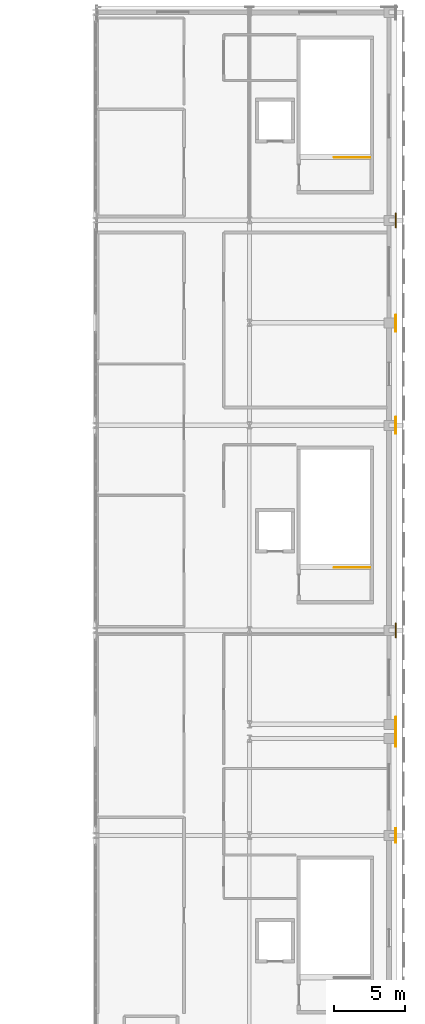
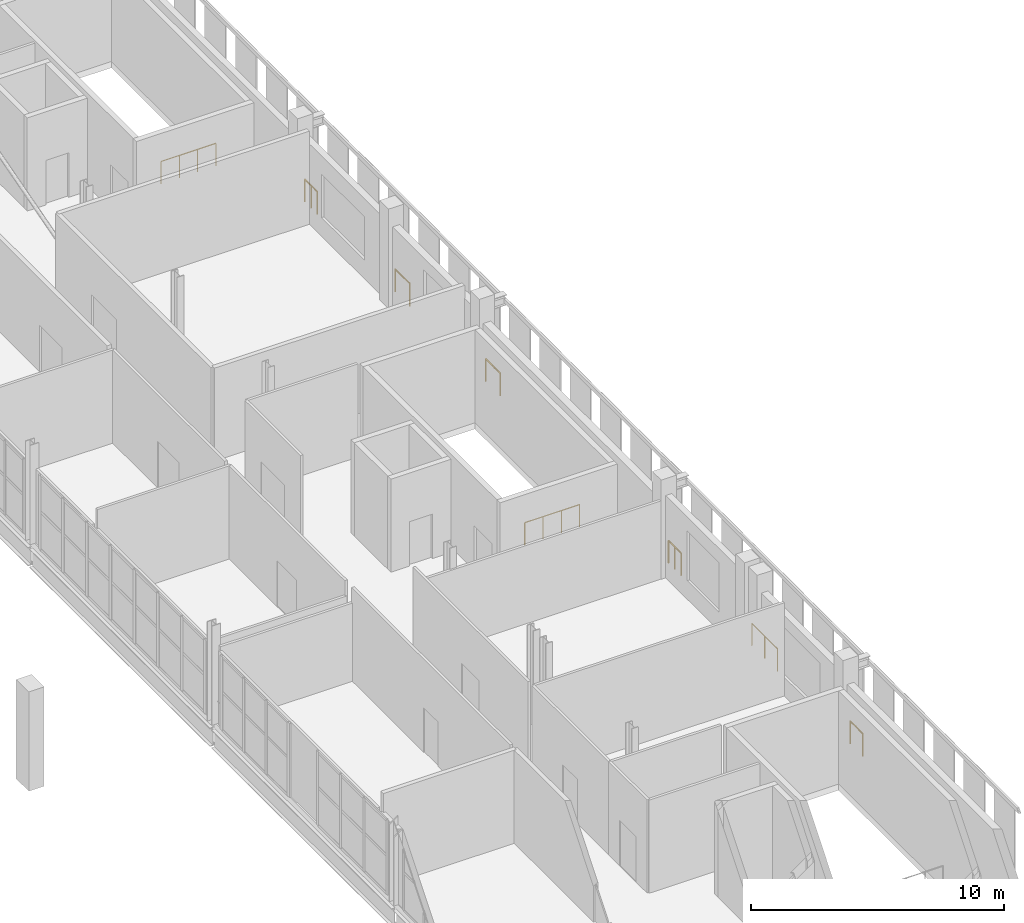
# One storey, part 50 of 51: 10 railings.
"""IFC4 building model written with IfcOpenShell, lengths in metres."""

from ifc_helpers import new_model, si_unit, direction, frame, origin, origin_2d, place, context, subcontext, project, spatial, circle, extrude, material, type_object, element, save


model = new_model("IFC4")

# Units and contexts
model_context = context("Model", 3, precision=1e-05, world=origin(), true_north=direction((0.0, 1.0)))
body_context = subcontext(model_context, "Body", "Model", "MODEL_VIEW")
ifc_project = project(units=[si_unit("LENGTHUNIT", "METRE"), si_unit("AREAUNIT", "SQUARE_METRE"), si_unit("VOLUMEUNIT", "CUBIC_METRE"), si_unit("PLANEANGLEUNIT", "RADIAN"), si_unit("MASSUNIT", "GRAM", prefix="KILO")], contexts=[model_context])

# Site, building, storey
site_placement = place(None, origin())
site = spatial("IfcSite", under=ifc_project, at=site_placement, CompositionType="ELEMENT")
building_placement = place(site_placement, origin())
building = spatial("IfcBuilding", under=site, at=building_placement, Name="Koshinbarg Plaza Stadium", CompositionType="ELEMENT")
storey_placement = place(building_placement, frame((0.0, 0.0, 24.60009765625)))
storey = spatial("IfcBuildingStorey", under=building, at=storey_placement, Name="L05", CompositionType="ELEMENT", Elevation=24.60009765625)

# Railings
ifc_material_1 = material(Name="Toughened laminated glass and stainless steel sightline balustrade", Category="steel")
railing_type_1 = type_object("IfcRailingType", Name="RL-BOWL-1100", PredefinedType="BALUSTRADE", material=ifc_material_1)
railing_1_placement = place(storey_placement, frame((218.875, 83.10009765625, 0.0)))
element("IfcRailing", 1, at=railing_1_placement, inside=storey, type_object=railing_type_1, Name="L05 deck edge safety balustrade 0382", PredefinedType="BALUSTRADE", context=body_context, shape_type="SweptSolid", body=[
    extrude(circle(Radius=0.02392578125, at=origin_2d()), frame((0.0, 0.0, 1.076171875), z_axis=(0.0, -1.0, 0.0), x_axis=(1.0, 0.0, 0.0)), (0.0, 0.0, 1.0), 0.5),
    extrude(circle(Radius=0.02099609375, at=origin_2d()), origin(), (0.0, 0.0, 1.0), 1.052001953125),
    extrude(circle(Radius=0.02099609375, at=origin_2d()), frame((0.0, -0.5, 0.0)), (0.0, 0.0, 1.0), 1.052001953125),
])
railing_2_placement = place(storey_placement, frame((218.875, 77.0, 0.0)))
element("IfcRailing", 2, at=railing_2_placement, inside=storey, type_object=railing_type_1, Name="L05 deck edge safety balustrade 0383", PredefinedType="BALUSTRADE", context=body_context, shape_type="SweptSolid", body=[
    extrude(circle(Radius=0.02392578125, at=origin_2d()), frame((0.0, 0.0, 1.076171875), z_axis=(0.0, -1.0, 0.0), x_axis=(1.0, 0.0, 0.0)), (0.0, 0.0, 1.0), 2.050048828125),
    extrude(circle(Radius=0.02099609375, at=origin_2d()), origin(), (0.0, 0.0, 1.0), 1.052001953125),
    extrude(circle(Radius=0.02099609375, at=origin_2d()), frame((0.0, -1.02490234375, 0.0)), (0.0, 0.0, 1.0), 1.052001953125),
    extrude(circle(Radius=0.02099609375, at=origin_2d()), frame((0.0, -2.050048828125, 0.0)), (0.0, 0.0, 1.0), 1.052001953125),
])
railing_3_placement = place(storey_placement, frame((218.875, 69.199951171875, 0.0)))
element("IfcRailing", 3, at=railing_3_placement, inside=storey, type_object=railing_type_1, Name="L05 deck edge safety balustrade 0384", PredefinedType="BALUSTRADE", context=body_context, shape_type="SweptSolid", body=[
    extrude(circle(Radius=0.02392578125, at=origin_2d()), frame((0.0, 0.0, 1.076171875), z_axis=(0.0, -1.0, 0.0), x_axis=(1.0, 0.0, 0.0)), (0.0, 0.0, 1.0), 1.0),
    extrude(circle(Radius=0.02099609375, at=origin_2d()), origin(), (0.0, 0.0, 1.0), 1.052001953125),
    extrude(circle(Radius=0.02099609375, at=origin_2d()), frame((0.0, -1.0, 0.0)), (0.0, 0.0, 1.0), 1.052001953125),
])
railing_4_placement = place(storey_placement, frame((218.875, 111.89990234375, 0.0)))
element("IfcRailing", 4, at=railing_4_placement, inside=storey, type_object=railing_type_1, Name="L05 deck edge safety balustrade 0388", PredefinedType="BALUSTRADE", context=body_context, shape_type="SweptSolid", body=[
    extrude(circle(Radius=0.02392578125, at=origin_2d()), frame((0.0, 0.0, 1.076171875), z_axis=(0.0, -1.0, 0.0), x_axis=(1.0, 0.0, 0.0)), (0.0, 0.0, 1.0), 0.498291015625),
    extrude(circle(Radius=0.02099609375, at=origin_2d()), origin(), (0.0, 0.0, 1.0), 1.052001953125),
    extrude(circle(Radius=0.02099609375, at=origin_2d()), frame((0.0, -0.498291015625, 0.0)), (0.0, 0.0, 1.0), 1.052001953125),
])
railing_5_placement = place(storey_placement, frame((218.875, 105.23583984375, 0.0)))
element("IfcRailing", 5, at=railing_5_placement, inside=storey, type_object=railing_type_1, Name="L05 deck edge safety balustrade 0389", PredefinedType="BALUSTRADE", context=body_context, shape_type="SweptSolid", body=[
    extrude(circle(Radius=0.02392578125, at=origin_2d()), frame((0.0, 0.0, 1.076171875), z_axis=(0.0, -1.0, 0.0), x_axis=(1.0, 0.0, 0.0)), (0.0, 0.0, 1.0), 1.146240234375),
    extrude(circle(Radius=0.02099609375, at=origin_2d()), origin(), (0.0, 0.0, 1.0), 1.052001953125),
    extrude(circle(Radius=0.02099609375, at=origin_2d()), frame((0.0, -1.146240234375, 0.0)), (0.0, 0.0, 1.0), 1.052001953125),
])
railing_6_placement = place(storey_placement, frame((218.875, 98.072998046875, 0.0)))
element("IfcRailing", 6, at=railing_6_placement, inside=storey, type_object=railing_type_1, Name="L05 deck edge safety balustrade 0390", PredefinedType="BALUSTRADE", context=body_context, shape_type="SweptSolid", body=[
    extrude(circle(Radius=0.02392578125, at=origin_2d()), frame((0.0, 0.0, 1.076171875), z_axis=(0.0, -1.0, 0.0), x_axis=(1.0, 0.0, 0.0)), (0.0, 0.0, 1.0), 1.14599609375),
    extrude(circle(Radius=0.02099609375, at=origin_2d()), origin(), (0.0, 0.0, 1.0), 1.052001953125),
    extrude(circle(Radius=0.02099609375, at=origin_2d()), frame((0.0, -1.14599609375, 0.0)), (0.0, 0.0, 1.0), 1.052001953125),
])
for number, where, name in (
    (7, (218.875, 83.598388671875, 0.0), "L05 deck edge safety balustrade 0391"),
    (8, (218.875, 112.398193359375, 0.0), "L05 deck edge safety balustrade 0398"),
):
    element("IfcRailing", number, at=place(storey_placement, frame(where)), inside=storey, type_object=railing_type_1, Name=name, PredefinedType="BALUSTRADE", context=body_context, shape_type="SweptSolid", body=[
        extrude(circle(Radius=0.02392578125, at=origin_2d()), frame((0.0, 0.0, 1.076171875), z_axis=(0.0, -1.0, 0.0), x_axis=(1.0, 0.0, 0.0)), (0.0, 0.0, 1.0), 0.498291015625),
        extrude(circle(Radius=0.02099609375, at=origin_2d()), origin(), (0.0, 0.0, 1.0), 1.052001953125),
        extrude(circle(Radius=0.02099609375, at=origin_2d()), frame((0.0, -0.498291015625, 0.0)), (0.0, 0.0, 1.0), 1.052001953125),
    ])
ifc_material_2 = material(Name="Galvanized painted steel guardrail", Category="steel")
railing_type_2 = type_object("IfcRailingType", Name="RL-GUARD-1100", PredefinedType="GUARDRAIL", material=ifc_material_2)
for number, where, name in (
    (9, (217.070068359375, 87.510009765625, 0.0), "L05 C09 top stairwell guard 1"),
    (10, (217.070068359375, 116.31005859375, 0.0), "L05 C10 top stairwell guard 1"),
):
    element("IfcRailing", number, at=place(storey_placement, frame(where)), inside=storey, type_object=railing_type_2, Name=name, PredefinedType="GUARDRAIL", context=body_context, shape_type="SweptSolid", body=[
        extrude(circle(Radius=0.02392578125, at=origin_2d()), frame((0.0, 0.0, 1.076171875), z_axis=(-1.0, 0.0, 0.0), x_axis=(0.0, -1.0, 0.0)), (0.0, 0.0, 1.0), 2.510009765625),
        extrude(circle(Radius=0.02099609375, at=origin_2d()), origin(), (0.0, 0.0, 1.0), 1.052001953125),
        extrude(circle(Radius=0.02099609375, at=origin_2d()), frame((-0.836669921875, 0.0, 0.0)), (0.0, 0.0, 1.0), 1.052001953125),
        extrude(circle(Radius=0.02099609375, at=origin_2d()), frame((-1.67333984375, 0.0, 0.0)), (0.0, 0.0, 1.0), 1.052001953125),
        extrude(circle(Radius=0.02099609375, at=origin_2d()), frame((-2.510009765625, 0.0, 0.0)), (0.0, 0.0, 1.0), 1.052001953125),
    ])

save(model, "model.ifc")
